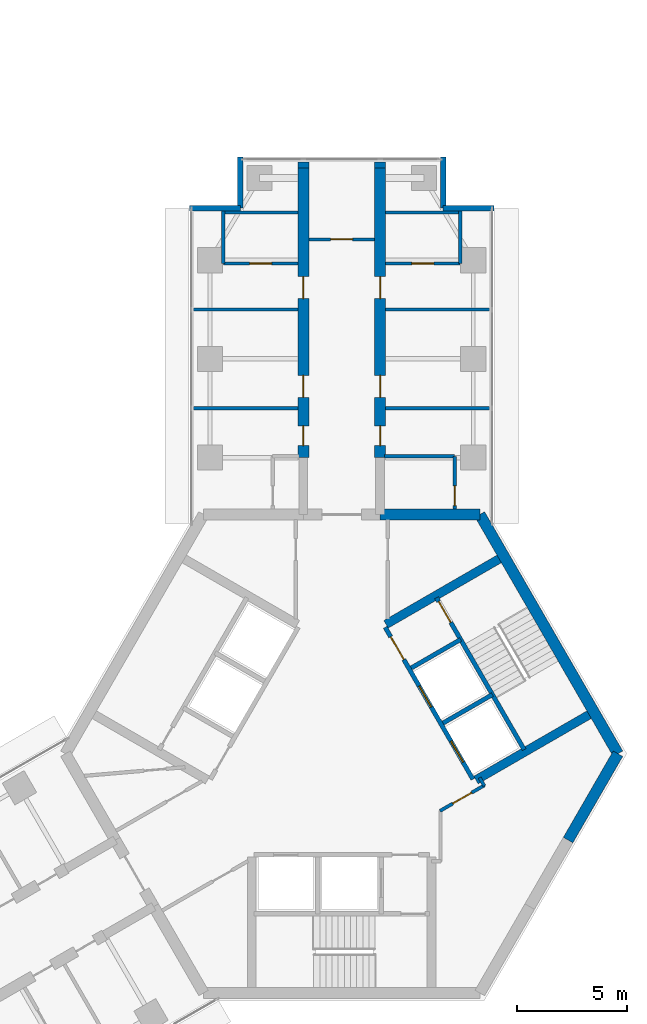
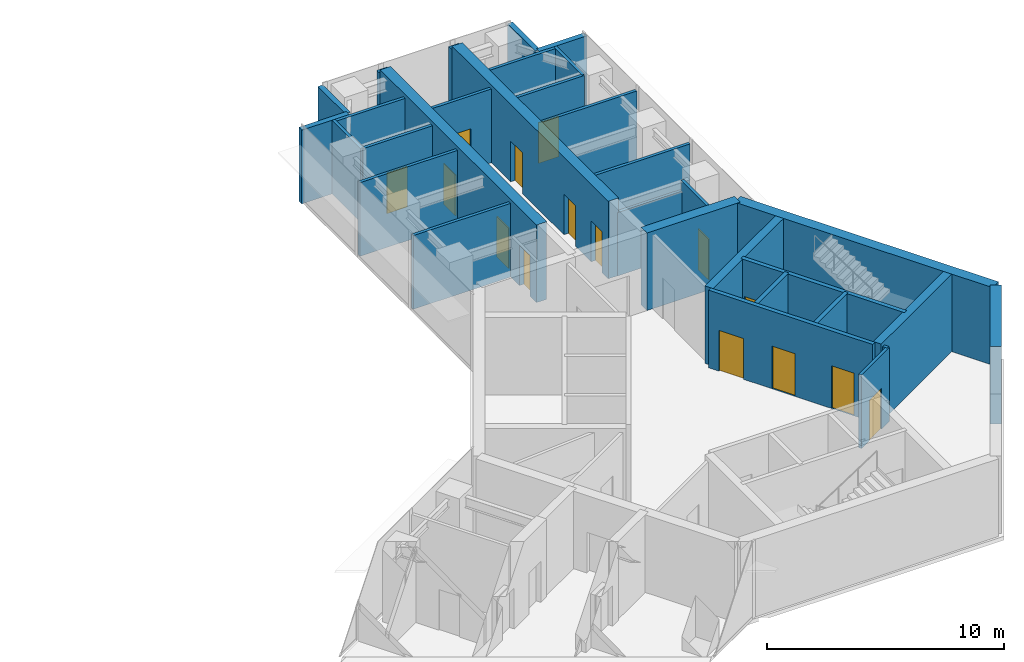
# One storey, part 15 of 17: 32 walls, 15 doors, 15 openings.
"""IFC4 building model written with IfcOpenShell, lengths in metres."""

import ifcopenshell
import ifcopenshell.guid

model = None  # the IFC model being written
_history = None  # IfcOwnerHistory: only IFC2X3 demands one
_inside = {}  # id of a spatial element -> (the spatial element, [elements in it])
_under = {}  # id of a project, library or spatial element -> (it, [spatial elements below it])
_declared = {}  # id of a project -> (the project, [libraries it declares])
_typed = {}  # id of a type object -> (the type object, [elements of that type])
_made_of = {}  # id of a material, layer set ... -> (it, [elements and type objects made of it])


def new_model(schema):
    """Start an empty IFC model of exactly this schema.

    Asked for "IFC4X3", IfcOpenShell would pick the latest addendum, in which some entities
    have other attributes; the version numbers below select the first issue.
    IFC2X3 requires an IfcOwnerHistory on every rooted entity: one is made here for all.
    """
    global model, _history
    if schema == "IFC4X3":
        model = ifcopenshell.file(schema_version=(4, 3, 0, 0))
    else:
        model = ifcopenshell.file(schema=schema)
    _inside.clear()
    _under.clear()
    _declared.clear()
    _typed.clear()
    _made_of.clear()
    _history = None
    if model.schema == "IFC2X3":
        org = make("IfcOrganization", Name="unknown")
        user = make(
            "IfcPersonAndOrganization",
            ThePerson=make("IfcPerson", FamilyName="unknown"),
            TheOrganization=org,
        )
        app = make(
            "IfcApplication",
            ApplicationDeveloper=org,
            Version="unknown",
            ApplicationFullName="unknown",
            ApplicationIdentifier="unknown",
        )
        _history = make(
            "IfcOwnerHistory",
            OwningUser=user,
            OwningApplication=app,
            ChangeAction="ADDED",
            CreationDate=0,
        )
    return model


def make(cls, **values):
    """One entity of the class cls with the attributes given. An attribute that is None is left unset."""
    return model.create_entity(
        cls, **{name: value for name, value in values.items() if value is not None}
    )


def rooted(cls, **values):
    """An entity with a GlobalId (a new one), such as an element, a storey or a relation."""
    return make(cls, GlobalId=ifcopenshell.guid.new(), OwnerHistory=_history, **values)


def si_unit(unit_type, name, prefix=None):
    """IfcSIUnit, for example si_unit("LENGTHUNIT", "METRE", prefix="MILLI")."""
    return make("IfcSIUnit", UnitType=unit_type, Prefix=prefix, Name=name)


def assignment(units):
    """IfcUnitAssignment: the units of a project."""
    return None if units is None else make("IfcUnitAssignment", Units=units)


def point(xyz):
    """IfcCartesianPoint."""
    return None if xyz is None else make("IfcCartesianPoint", Coordinates=xyz)


def direction(xyz):
    """IfcDirection."""
    return None if xyz is None else make("IfcDirection", DirectionRatios=xyz)


def frame(location, z_axis=None, x_axis=None):
    """IfcAxis2Placement3D, a coordinate frame: its origin and axes. An axis left out is left unset."""
    return make(
        "IfcAxis2Placement3D",
        Location=point(location),
        Axis=direction(z_axis),
        RefDirection=direction(x_axis),
    )


def frame_2d(location, x_axis=None):
    """IfcAxis2Placement2D, a coordinate frame in the plane: its origin and x axis."""
    return make(
        "IfcAxis2Placement2D", Location=point(location), RefDirection=direction(x_axis)
    )


def origin():
    """The frame at (0, 0, 0) with its axes left unset."""
    return frame((0.0, 0.0, 0.0))


def place(relative_to, where):
    """IfcLocalPlacement: puts the frame where relative to a parent placement (None: the world)."""
    return make(
        "IfcLocalPlacement", PlacementRelTo=relative_to, RelativePlacement=where
    )


def context(
    kind, dimensions, precision=None, world=None, true_north=None, identifier=None
):
    """IfcGeometricRepresentationContext, for example the 3D "Model" context."""
    return make(
        "IfcGeometricRepresentationContext",
        ContextIdentifier=identifier,
        ContextType=kind,
        CoordinateSpaceDimension=dimensions,
        Precision=precision,
        WorldCoordinateSystem=world,
        TrueNorth=true_north,
    )


def subcontext(parent, identifier, kind, view, scale=None):
    """IfcGeometricRepresentationSubContext, for example "Body" below "Model"."""
    return make(
        "IfcGeometricRepresentationSubContext",
        ContextIdentifier=identifier,
        ContextType=kind,
        ParentContext=parent,
        TargetScale=scale,
        TargetView=view,
    )


def project(units=None, contexts=None):
    """IfcProject with its units and contexts."""
    return rooted(
        "IfcProject",
        Name="project",
        RepresentationContexts=contexts,
        UnitsInContext=assignment(units),
    )


def spatial(cls, under=None, at=None, **own):
    """A site, building, storey or space (cls), placed at a placement, below another one or the project."""
    s = rooted(cls, ObjectPlacement=at, **own)
    if under is not None:
        _under.setdefault(under.id(), (under, []))[1].append(s)
    return s


def profile(cls, at=None, kind="AREA", **sizes):
    """A parametric profile (cls). Its sizes go by their IFC names, for example OverallWidth=200.0."""
    return make(cls, ProfileType=kind, Position=at, **sizes)


def rectangle(**sizes):
    """IfcRectangleProfileDef."""
    return profile("IfcRectangleProfileDef", **sizes)


def extrude(swept, where, along, depth):
    """IfcExtrudedAreaSolid: the profile swept, set in the frame where, extruded along a direction by depth."""
    return make(
        "IfcExtrudedAreaSolid",
        SweptArea=swept,
        Position=where,
        ExtrudedDirection=direction(along),
        Depth=depth,
    )


def shape(context_of_items, identifier, shape_type, items):
    """IfcShapeRepresentation: the items that make up one representation, for example the "Body"."""
    return make(
        "IfcShapeRepresentation",
        ContextOfItems=context_of_items,
        RepresentationIdentifier=identifier,
        RepresentationType=shape_type,
        Items=items,
    )


def material(Name=None, Category=None):
    """IfcMaterial."""
    return make("IfcMaterial", Name=Name, Category=Category)


def layer(
    of_material, thickness, ventilated=None, Name=None, Category=None, Priority=None
):
    """IfcMaterialLayer: one layer of a wall or slab, of a material (None: an air gap)."""
    return make(
        "IfcMaterialLayer",
        Material=of_material,
        LayerThickness=thickness,
        IsVentilated=ventilated,
        Name=Name,
        Category=Category,
        Priority=Priority,
    )


def layer_set(layers, Name=None):
    """IfcMaterialLayerSet."""
    return make("IfcMaterialLayerSet", MaterialLayers=layers, LayerSetName=Name)


def made_of(thing, what):
    """Note that an element or type object is made of a material, layer set ...; save() writes the relation."""
    if what is not None:
        _made_of.setdefault(what.id(), (what, []))[1].append(thing)
    return thing


def type_object(cls, material=None, **own):
    """A type object (cls), such as IfcWallType, which elements share."""
    return made_of(rooted(cls, **own), material)


def element(
    cls,
    number,
    at=None,
    inside=None,
    cuts=None,
    type_object=None,
    material=None,
    context=None,
    identifier="Body",
    shape_type=None,
    held_by="IfcProductDefinitionShape",
    body=None,
    shapes=None,
    **own,
):
    """One element of the class cls, such as IfcWall. Its Tag is "e" and its number.

    at: its placement. inside: the storey or other place that contains it. cuts: it is an
    opening in that element (IfcRelVoidsElement). A single representation is given by context,
    identifier, shape_type and body (its items); several are given by shapes. held_by: the class
    of the entity that holds the representations. save() writes the other relations.
    """
    e = rooted(cls, Tag="e%d" % number, ObjectPlacement=at, **own)
    if body is not None:
        shapes = [shape(context, identifier, shape_type, body)]
    if shapes is not None:
        e.Representation = make(held_by, Representations=shapes)
    if inside is not None:
        _inside.setdefault(inside.id(), (inside, []))[1].append(e)
    if cuts is not None:
        rooted(
            "IfcRelVoidsElement", RelatingBuildingElement=cuts, RelatedOpeningElement=e
        )
    if type_object is not None:
        _typed.setdefault(type_object.id(), (type_object, []))[1].append(e)
    return made_of(e, material)


def fill(opening, filler):
    """IfcRelFillsElement: the door or window that sits in an opening."""
    return rooted(
        "IfcRelFillsElement",
        RelatingOpeningElement=opening,
        RelatedBuildingElement=filler,
    )


def aggregate(whole, parts):
    """IfcRelAggregates: a whole, such as a stair, and the parts it consists of."""
    return rooted("IfcRelAggregates", RelatingObject=whole, RelatedObjects=parts)


def save(model, path):
    """Write the relations noted so far, then the file.

    IfcRelAggregates (storeys below a building ...), IfcRelContainedInSpatialStructure (elements
    in a storey), IfcRelDefinesByType, IfcRelAssociatesMaterial and IfcRelDeclares: one each for
    every whole, place, type object, material and project.
    """
    for whole, parts in _under.values():
        aggregate(whole, parts)
    for where, things in _inside.values():
        rooted(
            "IfcRelContainedInSpatialStructure",
            RelatedElements=things,
            RelatingStructure=where,
        )
    for kind, things in _typed.values():
        rooted("IfcRelDefinesByType", RelatedObjects=things, RelatingType=kind)
    for what, things in _made_of.values():
        rooted("IfcRelAssociatesMaterial", RelatedObjects=things, RelatingMaterial=what)
    for by, libraries in _declared.values():
        rooted("IfcRelDeclares", RelatingContext=by, RelatedDefinitions=libraries)
    model.write(path)


model = new_model("IFC4")

# Units and contexts
model_context = context("Model", 3, precision=1e-05, world=origin(), true_north=direction((0.0, 1.0)))
body_context = subcontext(model_context, "Body", "Model", "MODEL_VIEW")
ifc_project = project(units=[si_unit("LENGTHUNIT", "METRE"), si_unit("AREAUNIT", "SQUARE_METRE"), si_unit("VOLUMEUNIT", "CUBIC_METRE"), si_unit("PLANEANGLEUNIT", "RADIAN"), si_unit("MASSUNIT", "GRAM", prefix="KILO")], contexts=[model_context])

# Site, building, storey
site_placement = place(None, origin())
site = spatial("IfcSite", under=ifc_project, at=site_placement, CompositionType="ELEMENT")
building_placement = place(site_placement, origin())
building = spatial("IfcBuilding", under=site, at=building_placement, Name="Upepo Twin Towers", CompositionType="ELEMENT")
storey_placement = place(building_placement, frame((0.0, 0.0, 210.5)))
storey = spatial("IfcBuildingStorey", under=building, at=storey_placement, Name="L51", CompositionType="ELEMENT", Elevation=210.5)

# Walls
ifc_material_1 = material(Name="Dense concrete blockwork", Category="masonry")
ifc_layer_1 = layer(ifc_material_1, 0.5)
ifc_layer_set_1 = layer_set([ifc_layer_1], Name="Buttress closer 500, blockwork with fire-stopping to the curtain wall")
wall_type_1 = type_object("IfcWallType", Name="Buttress closer 500, blockwork with fire-stopping to the curtain wall", PredefinedType="PARTITIONING", material=ifc_layer_set_1)
for number, where, z_axis, x_axis, name in (
    (1, (56.75, 8.699951171875, 0.0), (0.0, 0.0, 1.0), (0.0, 1.0, 0.0), "T2 L51 wing A buttress closer L"),
    (2, (60.25, 8.699951171875, 0.0), (0.0, 0.0, 1.0), (0.0, 1.0, 0.0), "T2 L51 wing A buttress closer R"),
):
    element("IfcWall", number, at=place(storey_placement, frame(where, z_axis=z_axis, x_axis=x_axis)), inside=storey, type_object=wall_type_1, Name=name, PredefinedType="PARTITIONING", context=body_context, shape_type="SweptSolid", body=[
        extrude(rectangle(XDim=0.28759765625, YDim=0.5, at=frame_2d((0.143798828125, 0.0))), origin(), (0.0, 0.0, 1.0), 3.800048828125),
    ])

# Wall, openings, doors
ifc_material_2 = material(Name="Concrete C60/75", Category="concrete")
ifc_layer_2 = layer(ifc_material_2, 0.5)
ifc_layer_set_2 = layer_set([ifc_layer_2], Name="Concrete C60/75")
wall_type_2 = type_object("IfcWallType", Name="Buttress wall 500 RC", PredefinedType="SHEAR", material=ifc_layer_set_2)
wall_1_placement = place(storey_placement, frame((56.75, -4.5, 0.0), z_axis=(0.0, 0.0, 1.0), x_axis=(0.0, 1.0, 0.0)))
wall_1 = element("IfcWall", 3, at=wall_1_placement, inside=storey, type_object=wall_type_2, Name="T2 wing A buttress wall L part 2", PredefinedType="SHEAR", context=body_context, shape_type="SweptSolid", body=[
    extrude(rectangle(XDim=13.199951171875, YDim=0.5, at=frame_2d((6.60009765625, 0.0))), origin(), (0.0, 0.0, 1.0), 4.0),
])
opening_1_placement = place(wall_1_placement, frame((0.550048828125, 0.0, 0.0)))
opening_1 = element("IfcOpeningElement", 4, at=opening_1_placement, cuts=wall_1, Name="Opening D11", PredefinedType="OPENING", context=body_context, shape_type="SweptSolid", body=[
    extrude(rectangle(XDim=0.89990234375, YDim=2.10009765625, at=frame_2d((0.449951171875, 1.050048828125))), frame((0.0, 0.260009765625, 0.0), z_axis=(0.0, -1.0, 0.0), x_axis=(1.0, 0.0, 0.0)), (0.0, 0.0, 1.0), 0.52001953125),
])
opening_2_placement = place(wall_1_placement, frame((2.75, 0.0, 0.0)))
opening_2 = element("IfcOpeningElement", 5, at=opening_2_placement, cuts=wall_1, Name="Opening D1", PredefinedType="OPENING", context=body_context, shape_type="SweptSolid", body=[
    extrude(rectangle(XDim=1.0, YDim=2.10009765625, at=frame_2d((0.5, 1.050048828125))), frame((0.0, 0.260009765625, 0.0), z_axis=(0.0, -1.0, 0.0), x_axis=(1.0, 0.0, 0.0)), (0.0, 0.0, 1.0), 0.52001953125),
])
opening_3_placement = place(wall_1_placement, frame((7.25, 0.0, 0.0)))
opening_3 = element("IfcOpeningElement", 6, at=opening_3_placement, cuts=wall_1, Name="Opening D1", PredefinedType="OPENING", context=body_context, shape_type="SweptSolid", body=[
    extrude(rectangle(XDim=1.0, YDim=2.10009765625, at=frame_2d((0.5, 1.050048828125))), frame((0.0, 0.260009765625, 0.0), z_axis=(0.0, -1.0, 0.0), x_axis=(1.0, 0.0, 0.0)), (0.0, 0.0, 1.0), 0.52001953125),
])
ifc_material_3 = material(Name="Timber doorset", Category="wood")
door_type_1 = type_object("IfcDoorType", Name="Room door 1000 FD30", OperationType="SINGLE_SWING_LEFT", PredefinedType="DOOR", material=ifc_material_3)
door_1_placement = place(opening_2_placement, origin())
door_1 = element("IfcDoor", 7, at=door_1_placement, inside=storey, type_object=door_type_1, Name="T2 L51 tutorial room door", OperationType="SINGLE_SWING_LEFT", OverallHeight=2.10009765625, OverallWidth=1.0, PredefinedType="DOOR", context=body_context, shape_type="SweptSolid", body=[
    extrude(rectangle(XDim=1.0, YDim=2.10009765625, at=frame_2d((0.5, 1.050048828125))), frame((0.0, 0.02490234375, 0.0), z_axis=(0.0, -1.0, 0.0), x_axis=(1.0, 0.0, 0.0)), (0.0, 0.0, 1.0), 0.050048828125),
])
fill(opening_2, door_1)
door_2_placement = place(opening_3_placement, origin())
door_2 = element("IfcDoor", 8, at=door_2_placement, inside=storey, type_object=door_type_1, Name="T2 L51 staff office door", OperationType="SINGLE_SWING_RIGHT", OverallHeight=2.10009765625, OverallWidth=1.0, PredefinedType="DOOR", context=body_context, shape_type="SweptSolid", body=[
    extrude(rectangle(XDim=1.0, YDim=2.10009765625, at=frame_2d((0.5, 1.050048828125))), frame((0.0, 0.02490234375, 0.0), z_axis=(0.0, -1.0, 0.0), x_axis=(1.0, 0.0, 0.0)), (0.0, 0.0, 1.0), 0.050048828125),
])
fill(opening_3, door_2)
ifc_material_4 = material(Name="Timber doorset", Category="wood")
door_type_2 = type_object("IfcDoorType", Name="Toilet door 900", OperationType="SINGLE_SWING_LEFT", PredefinedType="DOOR", material=ifc_material_4)
door_3_placement = place(opening_1_placement, origin())
door_3 = element("IfcDoor", 9, at=door_3_placement, inside=storey, type_object=door_type_2, Name="T2 L51 toilets door", OperationType="SINGLE_SWING_LEFT", OverallHeight=2.10009765625, OverallWidth=0.89990234375, PredefinedType="DOOR", context=body_context, shape_type="SweptSolid", body=[
    extrude(rectangle(XDim=0.89990234375, YDim=2.10009765625, at=frame_2d((0.449951171875, 1.050048828125))), frame((0.0, 0.02490234375, 0.0), z_axis=(0.0, -1.0, 0.0), x_axis=(1.0, 0.0, 0.0)), (0.0, 0.0, 1.0), 0.050048828125),
])
fill(opening_1, door_3)

wall_2_placement = place(storey_placement, frame((60.25, -4.5, 0.0), z_axis=(0.0, 0.0, 1.0), x_axis=(0.0, 1.0, 0.0)))
wall_2 = element("IfcWall", 10, at=wall_2_placement, inside=storey, type_object=wall_type_2, Name="T2 wing A buttress wall R part 2", PredefinedType="SHEAR", context=body_context, shape_type="SweptSolid", body=[
    extrude(rectangle(XDim=13.199951171875, YDim=0.5, at=frame_2d((6.60009765625, 0.0))), origin(), (0.0, 0.0, 1.0), 4.0),
])
opening_4_placement = place(wall_2_placement, frame((0.550048828125, 0.0, 0.0)))
opening_4 = element("IfcOpeningElement", 11, at=opening_4_placement, cuts=wall_2, Name="Opening D11", PredefinedType="OPENING", context=body_context, shape_type="SweptSolid", body=[
    extrude(rectangle(XDim=0.89990234375, YDim=2.10009765625, at=frame_2d((0.449951171875, 1.050048828125))), frame((0.0, 0.260009765625, 0.0), z_axis=(0.0, -1.0, 0.0), x_axis=(1.0, 0.0, 0.0)), (0.0, 0.0, 1.0), 0.52001953125),
])
opening_5_placement = place(wall_2_placement, frame((2.75, 0.0, 0.0)))
opening_5 = element("IfcOpeningElement", 12, at=opening_5_placement, cuts=wall_2, Name="Opening D1", PredefinedType="OPENING", context=body_context, shape_type="SweptSolid", body=[
    extrude(rectangle(XDim=1.0, YDim=2.10009765625, at=frame_2d((0.5, 1.050048828125))), frame((0.0, 0.260009765625, 0.0), z_axis=(0.0, -1.0, 0.0), x_axis=(1.0, 0.0, 0.0)), (0.0, 0.0, 1.0), 0.52001953125),
])
opening_6_placement = place(wall_2_placement, frame((7.25, 0.0, 0.0)))
opening_6 = element("IfcOpeningElement", 13, at=opening_6_placement, cuts=wall_2, Name="Opening D1", PredefinedType="OPENING", context=body_context, shape_type="SweptSolid", body=[
    extrude(rectangle(XDim=1.0, YDim=2.10009765625, at=frame_2d((0.5, 1.050048828125))), frame((0.0, 0.260009765625, 0.0), z_axis=(0.0, -1.0, 0.0), x_axis=(1.0, 0.0, 0.0)), (0.0, 0.0, 1.0), 0.52001953125),
])
door_4_placement = place(opening_5_placement, origin())
door_4 = element("IfcDoor", 14, at=door_4_placement, inside=storey, type_object=door_type_1, Name="T2 L51 seminar room door", OperationType="SINGLE_SWING_LEFT", OverallHeight=2.10009765625, OverallWidth=1.0, PredefinedType="DOOR", context=body_context, shape_type="SweptSolid", body=[
    extrude(rectangle(XDim=1.0, YDim=2.10009765625, at=frame_2d((0.5, 1.050048828125))), frame((0.0, 0.02490234375, 0.0), z_axis=(0.0, -1.0, 0.0), x_axis=(1.0, 0.0, 0.0)), (0.0, 0.0, 1.0), 0.050048828125),
])
fill(opening_5, door_4)
door_5_placement = place(opening_6_placement, origin())
door_5 = element("IfcDoor", 15, at=door_5_placement, inside=storey, type_object=door_type_1, Name="T2 L51 tutorial room door", OperationType="SINGLE_SWING_RIGHT", OverallHeight=2.10009765625, OverallWidth=1.0, PredefinedType="DOOR", context=body_context, shape_type="SweptSolid", body=[
    extrude(rectangle(XDim=1.0, YDim=2.10009765625, at=frame_2d((0.5, 1.050048828125))), frame((0.0, 0.02490234375, 0.0), z_axis=(0.0, -1.0, 0.0), x_axis=(1.0, 0.0, 0.0)), (0.0, 0.0, 1.0), 0.050048828125),
])
fill(opening_6, door_5)
door_6_placement = place(opening_4_placement, origin())
door_6 = element("IfcDoor", 16, at=door_6_placement, inside=storey, type_object=door_type_2, Name="T2 L51 accessible wc door", OperationType="SINGLE_SWING_LEFT", OverallHeight=2.10009765625, OverallWidth=0.89990234375, PredefinedType="DOOR", context=body_context, shape_type="SweptSolid", body=[
    extrude(rectangle(XDim=0.89990234375, YDim=2.10009765625, at=frame_2d((0.449951171875, 1.050048828125))), frame((0.0, 0.02490234375, 0.0), z_axis=(0.0, -1.0, 0.0), x_axis=(1.0, 0.0, 0.0)), (0.0, 0.0, 1.0), 0.050048828125),
])
fill(opening_4, door_6)

# Walls
ifc_material_5 = material(Name="Concrete C60/75", Category="concrete")
ifc_layer_3 = layer(ifc_material_5, 0.5)
ifc_layer_set_3 = layer_set([ifc_layer_3], Name="Concrete C60/75")
wall_type_3 = type_object("IfcWallType", Name="Core wall 500 RC", PredefinedType="SHEAR", material=ifc_layer_set_3)
wall_3_placement = place(storey_placement, frame((64.7978515625, -7.091552734375, 0.0), z_axis=(0.0, 0.0, 1.0), x_axis=(-1.0, 0.0, 0.0)))
element("IfcWall", 17, at=wall_3_placement, inside=storey, type_object=wall_type_3, Name="T2 core wall 000 R", PredefinedType="SHEAR", context=body_context, shape_type="SweptSolid", body=[
    extrude(rectangle(XDim=4.5478515625, YDim=0.5, at=frame_2d((2.27392578125, 0.0))), origin(), (0.0, 0.0, 1.0), 4.0),
])
wall_4_placement = place(storey_placement, frame((68.82177734375, -21.938720703125, 0.0), z_axis=(0.0, 0.0, 1.0), x_axis=(0.500024481964, 0.866011268655, 0.0)))
element("IfcWall", 18, at=wall_4_placement, inside=storey, type_object=wall_type_3, Name="T2 core wall 240 L", PredefinedType="SHEAR", context=body_context, shape_type="SweptSolid", body=[
    extrude(rectangle(XDim=4.548095703125, YDim=0.5, at=frame_2d((2.27392578125, 0.0))), origin(), (0.0, 0.0, 1.0), 4.0),
])
wall_5_placement = place(storey_placement, frame((71.095947265625, -18.0, 0.0), z_axis=(0.0, 0.0, 1.0), x_axis=(-0.500005998175, 0.866021940709, 0.0)))
element("IfcWall", 19, at=wall_5_placement, inside=storey, type_object=wall_type_3, Name="T2 core wall 300", PredefinedType="SHEAR", context=body_context, shape_type="SweptSolid", body=[
    extrude(rectangle(XDim=12.595947265625, YDim=0.5, at=frame_2d((6.2978515625, 0.0))), origin(), (0.0, 0.0, 1.0), 4.0),
])
ifc_material_6 = material(Name="Blockwork with anodised aluminium cladding", Category="masonry")
ifc_layer_4 = layer(ifc_material_6, 0.25)
ifc_layer_set_4 = layer_set([ifc_layer_4], Name="Notch cladding wall 250, pale metal")
wall_type_4 = type_object("IfcWallType", Name="Notch cladding wall 250, pale metal", PredefinedType="STANDARD", material=ifc_layer_set_4)
for number, where, z_axis, x_axis, name in (
    (20, (51.550048828125, 6.875, 0.0), (0.0, 0.0, 1.0), (1.0, 0.0, 0.0), "T2 L51 wing A notch wall L1"),
    (21, (53.875, 6.875, 0.0), (0.0, 0.0, 1.0), (0.0, 1.0, 0.0), "T2 L51 wing A notch wall L2"),
    (22, (65.449951171875, 6.875, 0.0), (0.0, 0.0, 1.0), (-1.0, 0.0, 0.0), "T2 L51 wing A notch wall R1"),
    (23, (63.125, 6.875, 0.0), (0.0, 0.0, 1.0), (0.0, 1.0, 0.0), "T2 L51 wing A notch wall R2"),
):
    element("IfcWall", number, at=place(storey_placement, frame(where, z_axis=z_axis, x_axis=x_axis)), inside=storey, type_object=wall_type_4, Name=name, PredefinedType="STANDARD", context=body_context, shape_type="SweptSolid", body=[
        extrude(rectangle(XDim=2.324951171875, YDim=0.25, at=frame_2d((1.16259765625, 0.0))), origin(), (0.0, 0.0, 1.0), 3.800048828125),
    ])

# Wall, openings, doors
ifc_material_7 = material(Name="Concrete C40/50", Category="concrete")
ifc_layer_5 = layer(ifc_material_7, 0.199951171875)
ifc_layer_set_5 = layer_set([ifc_layer_5], Name="Concrete C40/50")
wall_type_5 = type_object("IfcWallType", Name="Shaft wall 200 RC", PredefinedType="SHEAR", material=ifc_layer_set_5)
wall_6_placement = place(storey_placement, frame((64.483642578125, -19.1640625, 0.0), z_axis=(0.0, 0.0, 1.0), x_axis=(-0.49999894854, 0.866026010844, 0.0)))
wall_6 = element("IfcWall", 24, at=wall_6_placement, inside=storey, type_object=wall_type_5, Name="T2 core W300 front wall", PredefinedType="SHEAR", context=body_context, shape_type="SweptSolid", body=[
    extrude(rectangle(XDim=8.0, YDim=0.199951171875, at=frame_2d((4.0, 0.0))), origin(), (0.0, 0.0, 1.0), 4.0),
])
opening_7_placement = place(wall_6_placement, frame((6.300048828125, 0.0, 0.0)))
opening_7 = element("IfcOpeningElement", 25, at=opening_7_placement, cuts=wall_6, Name="Opening D4", PredefinedType="OPENING", context=body_context, shape_type="SweptSolid", body=[
    extrude(rectangle(XDim=1.199951171875, YDim=2.10009765625, at=frame_2d((0.60009765625, 1.050048828125))), frame((0.0, 0.10986328125, 0.0), z_axis=(0.0, -1.0, 0.0), x_axis=(1.0, 0.0, 0.0)), (0.0, 0.0, 1.0), 0.219970703125),
])
opening_8_placement = place(wall_6_placement, frame((0.89990234375, 0.0, 0.0)))
opening_8 = element("IfcOpeningElement", 26, at=opening_8_placement, cuts=wall_6, Name="Opening LD1", PredefinedType="OPENING", context=body_context, shape_type="SweptSolid", body=[
    extrude(rectangle(XDim=1.10009765625, YDim=2.199951171875, at=frame_2d((0.550048828125, 1.10009765625))), frame((0.0, 0.10986328125, 0.0), z_axis=(0.0, -1.0, 0.0), x_axis=(1.0, 0.0, 0.0)), (0.0, 0.0, 1.0), 0.219970703125),
])
opening_9_placement = place(wall_6_placement, frame((3.800048828125, 0.0, 0.0)))
opening_9 = element("IfcOpeningElement", 27, at=opening_9_placement, cuts=wall_6, Name="Opening LD1", PredefinedType="OPENING", context=body_context, shape_type="SweptSolid", body=[
    extrude(rectangle(XDim=1.10009765625, YDim=2.199951171875, at=frame_2d((0.550048828125, 1.10009765625))), frame((0.0, 0.10986328125, 0.0), z_axis=(0.0, -1.0, 0.0), x_axis=(1.0, 0.0, 0.0)), (0.0, 0.0, 1.0), 0.219970703125),
])
ifc_material_8 = material(Name="Steel doorset", Category="steel")
door_type_3 = type_object("IfcDoorType", Name="Lift landing door 1100", OperationType="DOUBLE_DOOR_SLIDING", PredefinedType="DOOR", material=ifc_material_8)
door_7_placement = place(opening_8_placement, origin())
door_7 = element("IfcDoor", 28, at=door_7_placement, inside=storey, type_object=door_type_3, Name="T2 L51 lift UL1 landing door", OperationType="DOUBLE_DOOR_SLIDING", OverallHeight=2.199951171875, OverallWidth=1.10009765625, PredefinedType="DOOR", context=body_context, shape_type="SweptSolid", body=[
    extrude(rectangle(XDim=1.10009765625, YDim=2.199951171875, at=frame_2d((0.550048828125, 1.10009765625))), frame((0.0, 0.02490234375, 0.0), z_axis=(0.0, -1.0, 0.0), x_axis=(1.0, 0.0, 0.0)), (0.0, 0.0, 1.0), 0.050048828125),
])
fill(opening_8, door_7)
door_8_placement = place(opening_9_placement, origin())
door_8 = element("IfcDoor", 29, at=door_8_placement, inside=storey, type_object=door_type_3, Name="T2 L51 lift UL2 landing door", OperationType="DOUBLE_DOOR_SLIDING", OverallHeight=2.199951171875, OverallWidth=1.10009765625, PredefinedType="DOOR", context=body_context, shape_type="SweptSolid", body=[
    extrude(rectangle(XDim=1.10009765625, YDim=2.199951171875, at=frame_2d((0.550048828125, 1.10009765625))), frame((0.0, 0.02490234375, 0.0), z_axis=(0.0, -1.0, 0.0), x_axis=(1.0, 0.0, 0.0)), (0.0, 0.0, 1.0), 0.050048828125),
])
fill(opening_9, door_8)
ifc_material_9 = material(Name="Timber doorset", Category="wood")
door_type_4 = type_object("IfcDoorType", Name="Lobby door 1200 FD60", OperationType="SINGLE_SWING_LEFT", PredefinedType="DOOR", material=ifc_material_9)
door_9_placement = place(opening_7_placement, origin())
door_9 = element("IfcDoor", 30, at=door_9_placement, inside=storey, type_object=door_type_4, Name="T2 L51 W300 lobby door", OperationType="SINGLE_SWING_RIGHT", OverallHeight=2.10009765625, OverallWidth=1.199951171875, PredefinedType="DOOR", context=body_context, shape_type="SweptSolid", body=[
    extrude(rectangle(XDim=1.199951171875, YDim=2.10009765625, at=frame_2d((0.60009765625, 1.050048828125))), frame((0.0, 0.02490234375, 0.0), z_axis=(0.0, -1.0, 0.0), x_axis=(1.0, 0.0, 0.0)), (0.0, 0.0, 1.0), 0.050048828125),
])
fill(opening_7, door_9)

# Walls
wall_7_placement = place(storey_placement, frame((63.120361328125, -16.6025390625, 0.0), z_axis=(0.0, 0.0, 1.0), x_axis=(0.866062058628, 0.499936506574, 0.0)))
element("IfcWall", 31, at=wall_7_placement, inside=storey, type_object=wall_type_5, Name="T2 core W300 shaft divider", PredefinedType="SHEAR", context=body_context, shape_type="SweptSolid", body=[
    extrude(rectangle(XDim=2.599853515625, YDim=0.199951171875, at=frame_2d((1.2998046875, 0.0))), origin(), (0.0, 0.0, 1.0), 4.0),
])
wall_8_placement = place(storey_placement, frame((61.67041015625, -14.091064453125, 0.0), z_axis=(0.0, 0.0, 1.0), x_axis=(0.86603858612, 0.49997716683, 0.0)))
element("IfcWall", 32, at=wall_8_placement, inside=storey, type_object=wall_type_5, Name="T2 core W300 lobby wall", PredefinedType="SHEAR", context=body_context, shape_type="SweptSolid", body=[
    extrude(rectangle(XDim=2.599609375, YDim=0.199951171875, at=frame_2d((1.2998046875, 0.0))), origin(), (0.0, 0.0, 1.0), 4.0),
])

# Wall, opening, door
wall_9_placement = place(storey_placement, frame((66.822021484375, -17.814208984375, 0.0), z_axis=(0.0, 0.0, 1.0), x_axis=(-0.49999894854, 0.866026010844, 0.0)))
wall_9 = element("IfcWall", 33, at=wall_9_placement, inside=storey, type_object=wall_type_5, Name="T2 core W300 stair wall", PredefinedType="SHEAR", context=body_context, shape_type="SweptSolid", body=[
    extrude(rectangle(XDim=8.0, YDim=0.199951171875, at=frame_2d((4.0, 0.0))), origin(), (0.0, 0.0, 1.0), 4.0),
])
opening_10_placement = place(wall_9_placement, frame((6.699951171875, 0.0, 0.0)))
opening_10 = element("IfcOpeningElement", 34, at=opening_10_placement, cuts=wall_9, Name="Opening D3", PredefinedType="OPENING", context=body_context, shape_type="SweptSolid", body=[
    extrude(rectangle(XDim=1.10009765625, YDim=2.10009765625, at=frame_2d((0.550048828125, 1.050048828125))), frame((0.0, 0.10986328125, 0.0), z_axis=(0.0, -1.0, 0.0), x_axis=(1.0, 0.0, 0.0)), (0.0, 0.0, 1.0), 0.219970703125),
])
ifc_material_10 = material(Name="Timber doorset", Category="wood")
door_type_5 = type_object("IfcDoorType", Name="Stair door 1100 FD60", OperationType="SINGLE_SWING_LEFT", PredefinedType="DOOR", material=ifc_material_10)
door_10_placement = place(opening_10_placement, origin())
door_10 = element("IfcDoor", 35, at=door_10_placement, inside=storey, type_object=door_type_5, Name="T2 L51 stair door", OperationType="SINGLE_SWING_RIGHT", OverallHeight=2.10009765625, OverallWidth=1.10009765625, PredefinedType="DOOR", context=body_context, shape_type="SweptSolid", body=[
    extrude(rectangle(XDim=1.10009765625, YDim=2.10009765625, at=frame_2d((0.550048828125, 1.050048828125))), frame((0.0, 0.02490234375, 0.0), z_axis=(0.0, -1.0, 0.0), x_axis=(1.0, 0.0, 0.0)), (0.0, 0.0, 1.0), 0.050048828125),
])
fill(opening_10, door_10)

# Walls
ifc_material_11 = material(Name="Concrete C40/50", Category="concrete")
ifc_layer_6 = layer(ifc_material_11, 0.39990234375)
ifc_layer_set_6 = layer_set([ifc_layer_6], Name="Concrete C40/50")
wall_type_6 = type_object("IfcWallType", Name="Shaft wall 400 RC", PredefinedType="SHEAR", material=ifc_layer_set_6)
wall_10_placement = place(storey_placement, frame((60.520263671875, -12.099365234375, 0.0), z_axis=(0.0, 0.0, 1.0), x_axis=(0.86602319114, 0.500003832394, 0.0)))
element("IfcWall", 36, at=wall_10_placement, inside=storey, type_object=wall_type_6, Name="T2 core W300 side wall N", PredefinedType="SHEAR", context=body_context, shape_type="SweptSolid", body=[
    extrude(rectangle(XDim=5.95849609375, YDim=0.39990234375, at=frame_2d((2.979248046875, 0.0))), origin(), (0.0, 0.0, 1.0), 4.0),
])
wall_11_placement = place(storey_placement, frame((64.620361328125, -19.20068359375, 0.0), z_axis=(0.0, 0.0, 1.0), x_axis=(0.866012946976, 0.500021575205, 0.0)))
element("IfcWall", 37, at=wall_11_placement, inside=storey, type_object=wall_type_6, Name="T2 core W300 side wall S", PredefinedType="SHEAR", context=body_context, shape_type="SweptSolid", body=[
    extrude(rectangle(XDim=5.958251953125, YDim=0.39990234375, at=frame_2d((2.97900390625, 0.0))), origin(), (0.0, 0.0, 1.0), 4.0),
])
ifc_material_12 = material(Name="Gypsum board on steel studs", Category="steel")
ifc_layer_7 = layer(ifc_material_12, 0.14990234375)
ifc_layer_set_7 = layer_set([ifc_layer_7], Name="Teaching partition 150 acoustic")
wall_type_7 = type_object("IfcWallType", Name="Teaching partition 150 acoustic", PredefinedType="PARTITIONING", material=ifc_layer_set_7)
for number, where, z_axis, x_axis, name in (
    (38, (56.5, -2.25, 0.0), (0.0, 0.0, 1.0), (-1.0, 0.0, 0.0), "T2 partition AL at 15.75"),
    (39, (56.5, 2.25, 0.0), (0.0, 0.0, 1.0), (-1.0, 0.0, 0.0), "T2 partition AL at 20.25"),
):
    element("IfcWall", number, at=place(storey_placement, frame(where, z_axis=z_axis, x_axis=x_axis)), inside=storey, type_object=wall_type_7, Name=name, PredefinedType="PARTITIONING", context=body_context, shape_type="SweptSolid", body=[
        extrude(rectangle(XDim=4.75, YDim=0.14990234375, at=frame_2d((2.375, 0.0))), origin(), (0.0, 0.0, 1.0), 3.800048828125),
    ])
wall_12_placement = place(storey_placement, frame((53.10009765625, 4.35009765625, 0.0), z_axis=(0.0, 0.0, 1.0), x_axis=(0.0, 1.0, 0.0)))
element("IfcWall", 40, at=wall_12_placement, inside=storey, type_object=wall_type_7, Name="T2 inner room partition AL at 22.35", PredefinedType="PARTITIONING", context=body_context, shape_type="SweptSolid", body=[
    extrude(rectangle(XDim=2.39990234375, YDim=0.14990234375, at=frame_2d((1.199951171875, 0.0))), origin(), (0.0, 0.0, 1.0), 3.800048828125),
])

# Wall, opening, door
wall_13_placement = place(storey_placement, frame((56.5, 4.35009765625, 0.0), z_axis=(0.0, 0.0, 1.0), x_axis=(-1.0, 0.0, 0.0)))
wall_13 = element("IfcWall", 41, at=wall_13_placement, inside=storey, type_object=wall_type_7, Name="T2 inner room partition AL end at 22.35", PredefinedType="PARTITIONING", context=body_context, shape_type="SweptSolid", body=[
    extrude(rectangle(XDim=3.39990234375, YDim=0.14990234375, at=frame_2d((1.699951171875, 0.0))), origin(), (0.0, 0.0, 1.0), 3.800048828125),
])
opening_11_placement = place(wall_13_placement, frame((1.199951171875, 0.0, 0.0)))
opening_11 = element("IfcOpeningElement", 42, at=opening_11_placement, cuts=wall_13, Name="Opening D1", PredefinedType="OPENING", context=body_context, shape_type="SweptSolid", body=[
    extrude(rectangle(XDim=1.0, YDim=2.10009765625, at=frame_2d((0.5, 1.050048828125))), frame((0.0, 0.0849609375, 0.0), z_axis=(0.0, -1.0, 0.0), x_axis=(1.0, 0.0, 0.0)), (0.0, 0.0, 1.0), 0.169921875),
])
door_11_placement = place(opening_11_placement, origin())
door_11 = element("IfcDoor", 43, at=door_11_placement, inside=storey, type_object=door_type_1, Name="T2 L51 inner room door", OperationType="SINGLE_SWING_LEFT", OverallHeight=2.10009765625, OverallWidth=1.0, PredefinedType="DOOR", context=body_context, shape_type="SweptSolid", body=[
    extrude(rectangle(XDim=1.0, YDim=2.10009765625, at=frame_2d((0.5, 1.050048828125))), frame((0.0, 0.02490234375, 0.0), z_axis=(0.0, -1.0, 0.0), x_axis=(1.0, 0.0, 0.0)), (0.0, 0.0, 1.0), 0.050048828125),
])
fill(opening_11, door_11)

# Walls
wall_14_placement = place(storey_placement, frame((56.5, 6.675048828125, 0.0), z_axis=(0.0, 0.0, 1.0), x_axis=(-1.0, 0.0, 0.0)))
element("IfcWall", 44, at=wall_14_placement, inside=storey, type_object=wall_type_7, Name="T2 inner room partition AL end at 24.75", PredefinedType="PARTITIONING", context=body_context, shape_type="SweptSolid", body=[
    extrude(rectangle(XDim=3.39990234375, YDim=0.14990234375, at=frame_2d((1.699951171875, 0.0))), origin(), (0.0, 0.0, 1.0), 3.800048828125),
])
for number, where, z_axis, x_axis, name in (
    (45, (60.5, -2.25, 0.0), (0.0, 0.0, 1.0), (1.0, 0.0, 0.0), "T2 partition AR at 15.75"),
    (46, (60.5, 2.25, 0.0), (0.0, 0.0, 1.0), (1.0, 0.0, 0.0), "T2 partition AR at 20.25"),
):
    element("IfcWall", number, at=place(storey_placement, frame(where, z_axis=z_axis, x_axis=x_axis)), inside=storey, type_object=wall_type_7, Name=name, PredefinedType="PARTITIONING", context=body_context, shape_type="SweptSolid", body=[
        extrude(rectangle(XDim=4.75, YDim=0.14990234375, at=frame_2d((2.375, 0.0))), origin(), (0.0, 0.0, 1.0), 3.800048828125),
    ])
wall_15_placement = place(storey_placement, frame((63.89990234375, 4.35009765625, 0.0), z_axis=(0.0, 0.0, 1.0), x_axis=(0.0, 1.0, 0.0)))
element("IfcWall", 47, at=wall_15_placement, inside=storey, type_object=wall_type_7, Name="T2 inner room partition AR at 22.35", PredefinedType="PARTITIONING", context=body_context, shape_type="SweptSolid", body=[
    extrude(rectangle(XDim=2.39990234375, YDim=0.14990234375, at=frame_2d((1.199951171875, 0.0))), origin(), (0.0, 0.0, 1.0), 3.800048828125),
])

# Wall, opening, door
wall_16_placement = place(storey_placement, frame((60.5, 4.35009765625, 0.0), z_axis=(0.0, 0.0, 1.0), x_axis=(1.0, 0.0, 0.0)))
wall_16 = element("IfcWall", 48, at=wall_16_placement, inside=storey, type_object=wall_type_7, Name="T2 inner room partition AR end at 22.35", PredefinedType="PARTITIONING", context=body_context, shape_type="SweptSolid", body=[
    extrude(rectangle(XDim=3.39990234375, YDim=0.14990234375, at=frame_2d((1.699951171875, 0.0))), origin(), (0.0, 0.0, 1.0), 3.800048828125),
])
opening_12_placement = place(wall_16_placement, frame((1.199951171875, 0.0, 0.0)))
opening_12 = element("IfcOpeningElement", 49, at=opening_12_placement, cuts=wall_16, Name="Opening D1", PredefinedType="OPENING", context=body_context, shape_type="SweptSolid", body=[
    extrude(rectangle(XDim=1.0, YDim=2.10009765625, at=frame_2d((0.5, 1.050048828125))), frame((0.0, 0.0849609375, 0.0), z_axis=(0.0, -1.0, 0.0), x_axis=(1.0, 0.0, 0.0)), (0.0, 0.0, 1.0), 0.169921875),
])
door_12_placement = place(opening_12_placement, origin())
door_12 = element("IfcDoor", 50, at=door_12_placement, inside=storey, type_object=door_type_1, Name="T2 L51 inner room door", OperationType="SINGLE_SWING_LEFT", OverallHeight=2.10009765625, OverallWidth=1.0, PredefinedType="DOOR", context=body_context, shape_type="SweptSolid", body=[
    extrude(rectangle(XDim=1.0, YDim=2.10009765625, at=frame_2d((0.5, 1.050048828125))), frame((0.0, 0.02490234375, 0.0), z_axis=(0.0, -1.0, 0.0), x_axis=(1.0, 0.0, 0.0)), (0.0, 0.0, 1.0), 0.050048828125),
])
fill(opening_12, door_12)

# Wall
wall_17_placement = place(storey_placement, frame((60.5, 6.675048828125, 0.0), z_axis=(0.0, 0.0, 1.0), x_axis=(1.0, 0.0, 0.0)))
element("IfcWall", 51, at=wall_17_placement, inside=storey, type_object=wall_type_7, Name="T2 inner room partition AR end at 24.75", PredefinedType="PARTITIONING", context=body_context, shape_type="SweptSolid", body=[
    extrude(rectangle(XDim=3.39990234375, YDim=0.14990234375, at=frame_2d((1.699951171875, 0.0))), origin(), (0.0, 0.0, 1.0), 3.800048828125),
])

# Wall, opening, door
wall_18_placement = place(storey_placement, frame((63.64990234375, -6.842041015625, 0.0), z_axis=(0.0, 0.0, 1.0), x_axis=(0.0, 1.0, 0.0)))
wall_18 = element("IfcWall", 52, at=wall_18_placement, inside=storey, type_object=wall_type_7, Name="T2 WC bay partition AR at 11.16", PredefinedType="PARTITIONING", context=body_context, shape_type="SweptSolid", body=[
    extrude(rectangle(XDim=2.400146484375, YDim=0.14990234375, at=frame_2d((1.2001953125, 0.0))), origin(), (0.0, 0.0, 1.0), 3.800048828125),
])
opening_13_placement = place(wall_18_placement, frame((0.14990234375, 0.0, 0.0)))
opening_13 = element("IfcOpeningElement", 53, at=opening_13_placement, cuts=wall_18, Name="Opening D14", PredefinedType="OPENING", context=body_context, shape_type="SweptSolid", body=[
    extrude(rectangle(XDim=0.89990234375, YDim=2.10009765625, at=frame_2d((0.449951171875, 1.050048828125))), frame((0.0, 0.0849609375, 0.0), z_axis=(0.0, -1.0, 0.0), x_axis=(1.0, 0.0, 0.0)), (0.0, 0.0, 1.0), 0.169921875),
])
ifc_material_13 = material(Name="Timber doorset", Category="wood")
door_type_6 = type_object("IfcDoorType", Name="Office door 900 FD30", OperationType="SINGLE_SWING_LEFT", PredefinedType="DOOR", material=ifc_material_13)
door_13_placement = place(opening_13_placement, origin())
door_13 = element("IfcDoor", 54, at=door_13_placement, inside=storey, type_object=door_type_6, Name="T2 L51 WC bay inner room door", OperationType="SINGLE_SWING_LEFT", OverallHeight=2.10009765625, OverallWidth=0.89990234375, PredefinedType="DOOR", context=body_context, shape_type="SweptSolid", body=[
    extrude(rectangle(XDim=0.89990234375, YDim=2.10009765625, at=frame_2d((0.449951171875, 1.050048828125))), frame((0.0, 0.02490234375, 0.0), z_axis=(0.0, -1.0, 0.0), x_axis=(1.0, 0.0, 0.0)), (0.0, 0.0, 1.0), 0.050048828125),
])
fill(opening_13, door_13)

# Walls
wall_19_placement = place(storey_placement, frame((60.449951171875, -4.44189453125, 0.0), z_axis=(0.0, 0.0, 1.0), x_axis=(1.0, 0.0, 0.0)))
element("IfcWall", 55, at=wall_19_placement, inside=storey, type_object=wall_type_7, Name="T2 WC bay partition AR end at 13.56", PredefinedType="PARTITIONING", context=body_context, shape_type="SweptSolid", body=[
    extrude(rectangle(XDim=3.199951171875, YDim=0.14990234375, at=frame_2d((1.60009765625, 0.0))), origin(), (0.0, 0.0, 1.0), 3.266845703125),
])
wall_20_placement = place(storey_placement, frame((64.78857421875, -19.092041015625, 0.0), z_axis=(0.0, 0.0, 1.0), x_axis=(0.499804398801, -0.866138304741, 0.0)))
element("IfcWall", 56, at=wall_20_placement, inside=storey, type_object=wall_type_7, Name="T2 core room partition 6", PredefinedType="PARTITIONING", context=body_context, shape_type="SweptSolid", body=[
    extrude(rectangle(XDim=0.429931640625, YDim=0.14990234375, at=frame_2d((0.21484375, 0.0))), origin(), (0.0, 0.0, 1.0), 3.800048828125),
])

# Wall, opening, door
wall_21_placement = place(storey_placement, frame((65.0107421875, -19.43701171875, 0.0), z_axis=(0.0, 0.0, 1.0), x_axis=(-0.865982457891, -0.500074377092, 0.0)))
wall_21 = element("IfcWall", 57, at=wall_21_placement, inside=storey, type_object=wall_type_7, Name="T2 core room partition 7", PredefinedType="PARTITIONING", context=body_context, shape_type="SweptSolid", body=[
    extrude(rectangle(XDim=2.342041015625, YDim=0.14990234375, at=frame_2d((1.1708984375, 0.0))), origin(), (0.0, 0.0, 1.0), 3.800048828125),
])
opening_14_placement = place(wall_21_placement, frame((0.6708984375, 0.0, 0.0)))
opening_14 = element("IfcOpeningElement", 58, at=opening_14_placement, cuts=wall_21, Name="Opening D1", PredefinedType="OPENING", context=body_context, shape_type="SweptSolid", body=[
    extrude(rectangle(XDim=1.0, YDim=2.10009765625, at=frame_2d((0.5, 1.050048828125))), frame((0.0, 0.0849609375, 0.0), z_axis=(0.0, -1.0, 0.0), x_axis=(1.0, 0.0, 0.0)), (0.0, 0.0, 1.0), 0.169921875),
])
door_14_placement = place(opening_14_placement, origin())
door_14 = element("IfcDoor", 59, at=door_14_placement, inside=storey, type_object=door_type_1, Name="T2 L51 core room door K4", OperationType="SINGLE_SWING_RIGHT", OverallHeight=2.10009765625, OverallWidth=1.0, PredefinedType="DOOR", context=body_context, shape_type="SweptSolid", body=[
    extrude(rectangle(XDim=1.0, YDim=2.10009765625, at=frame_2d((0.5, 1.050048828125))), frame((0.0, 0.02490234375, 0.0), z_axis=(0.0, -1.0, 0.0), x_axis=(1.0, 0.0, 0.0)), (0.0, 0.0, 1.0), 0.050048828125),
])
fill(opening_14, door_14)

wall_22_placement = place(storey_placement, frame((60.0, 5.449951171875, 0.0), z_axis=(0.0, 0.0, 1.0), x_axis=(-1.0, 0.0, 0.0)))
wall_22 = element("IfcWall", 60, at=wall_22_placement, inside=storey, type_object=wall_type_7, Name="T2 corridor end partition A at 23.45", PredefinedType="PARTITIONING", context=body_context, shape_type="SweptSolid", body=[
    extrude(rectangle(XDim=3.0, YDim=0.14990234375, at=frame_2d((1.5, 0.0))), origin(), (0.0, 0.0, 1.0), 3.800048828125),
])
opening_15_placement = place(wall_22_placement, frame((1.0, 0.0, 0.0)))
opening_15 = element("IfcOpeningElement", 61, at=opening_15_placement, cuts=wall_22, Name="Opening D1", PredefinedType="OPENING", context=body_context, shape_type="SweptSolid", body=[
    extrude(rectangle(XDim=1.0, YDim=2.10009765625, at=frame_2d((0.5, 1.050048828125))), frame((0.0, 0.0849609375, 0.0), z_axis=(0.0, -1.0, 0.0), x_axis=(1.0, 0.0, 0.0)), (0.0, 0.0, 1.0), 0.169921875),
])
door_15_placement = place(opening_15_placement, origin())
door_15 = element("IfcDoor", 62, at=door_15_placement, inside=storey, type_object=door_type_1, Name="T2 L51 breakout study room door", OperationType="SINGLE_SWING_LEFT", OverallHeight=2.10009765625, OverallWidth=1.0, PredefinedType="DOOR", context=body_context, shape_type="SweptSolid", body=[
    extrude(rectangle(XDim=1.0, YDim=2.10009765625, at=frame_2d((0.5, 1.050048828125))), frame((0.0, 0.02490234375, 0.0), z_axis=(0.0, -1.0, 0.0), x_axis=(1.0, 0.0, 0.0)), (0.0, 0.0, 1.0), 0.050048828125),
])
fill(opening_15, door_15)

save(model, "model.ifc")
